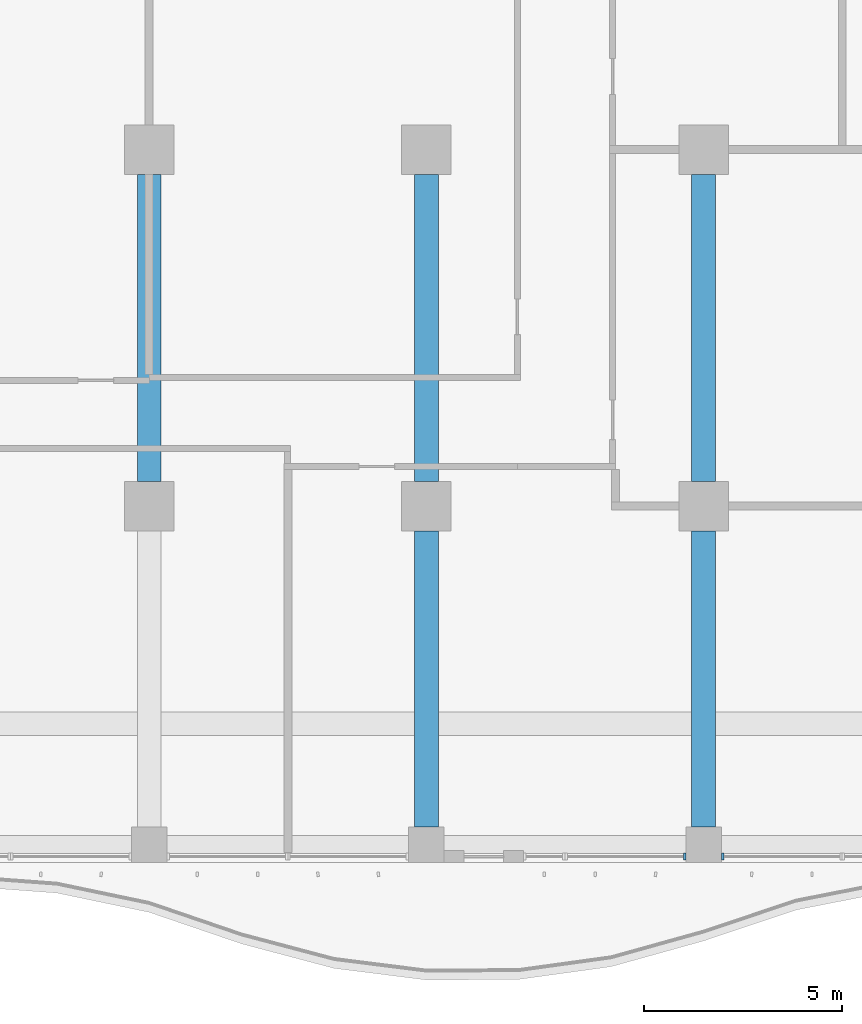
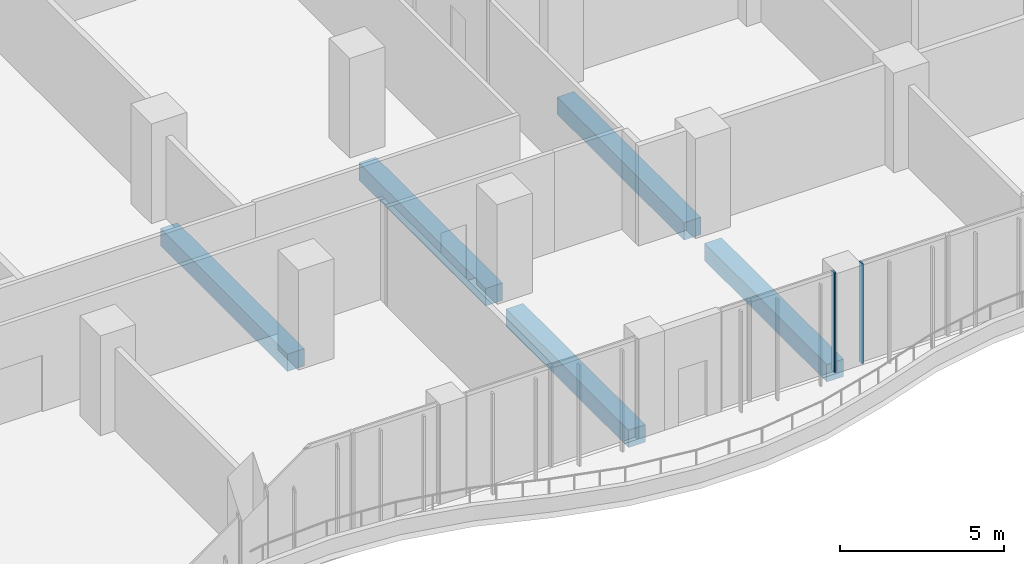
# One storey, part 4 of 28: 5 beams, 2 members, 2 elements without a shape of their own.
"""IFC4 building model written with IfcOpenShell, lengths in metres."""

from ifc_helpers import new_model, si_unit, direction, frame, origin, origin_2d, place, context, subcontext, project, spatial, rectangle, extrude, source, transform, mapped, material, material_profile, profile_set, type_object, element, aggregate, save


model = new_model("IFC4")

# Units and contexts
model_context = context("Model", 3, precision=1e-05, world=origin(), true_north=direction((0.0, 1.0)))
body_context = subcontext(model_context, "Body", "Model", "MODEL_VIEW")
ifc_project = project(units=[si_unit("LENGTHUNIT", "METRE"), si_unit("AREAUNIT", "SQUARE_METRE"), si_unit("VOLUMEUNIT", "CUBIC_METRE"), si_unit("PLANEANGLEUNIT", "RADIAN"), si_unit("MASSUNIT", "GRAM", prefix="KILO")], contexts=[model_context])

# Site, building, storey
site_placement = place(None, origin())
site = spatial("IfcSite", under=ifc_project, at=site_placement, CompositionType="ELEMENT")
building_placement = place(site_placement, origin())
building = spatial("IfcBuilding", under=site, at=building_placement, Name="Kilnfold Tower and Market Hall", CompositionType="ELEMENT")
storey_placement = place(building_placement, frame((0.0, 0.0, 87.199951171875)))
storey = spatial("IfcBuildingStorey", under=building, at=storey_placement, Name="L20", CompositionType="ELEMENT", Elevation=87.199951171875)

# Beams
ifc_material_1 = material(Name="Concrete C45", Category="concrete")
ifc_material_profile_1 = material_profile(ifc_material_1, rectangle(XDim=0.60009765625, YDim=0.64990234375, at=origin_2d()), Name="RC 600x650")
ifc_profile_set_1 = profile_set([ifc_material_profile_1], Name="Concrete C45")
beam_type = type_object("IfcBeamType", Name="BEAM 600X650 C45", PredefinedType="BEAM", material=ifc_profile_set_1)
shared_shape_1 = source(origin(), body_context, "Body", "SweptSolid", [
    extrude(rectangle(XDim=0.60009765625, YDim=0.64990234375, at=origin_2d()), origin(), (0.0, 0.0, 1.0), 7.47509765625),
])
for number, where, z_axis, x_axis, name in (
    (1, (1.5, -27.10009765625, -0.60498046875), (0.0, 1.0, 0.0), (-1.0, 0.0, 0.0), "Beam BB650-B2.87"),
    (2, (8.5, -27.10009765625, -0.60498046875), (0.0, 1.0, 0.0), (-1.0, 0.0, 0.0), "Beam BB650-B2.89"),
):
    element("IfcBeam", number, at=place(storey_placement, frame(where, z_axis=z_axis, x_axis=x_axis)), inside=storey, type_object=beam_type, Name=name, PredefinedType="BEAM", context=body_context, shape_type="MappedRepresentation", body=[
        mapped(shared_shape_1, transform((0.0, 0.0, 0.0))),
    ])
shared_shape_2 = source(origin(), body_context, "Body", "SweptSolid", [
    extrude(rectangle(XDim=0.60009765625, YDim=0.64990234375, at=origin_2d()), origin(), (0.0, 0.0, 1.0), 7.75),
])
for number, where, z_axis, x_axis, name in (
    (3, (-5.5, -18.375, -0.60498046875), (0.0, 1.0, 0.0), (-1.0, 0.0, 0.0), "Beam BB650-B2.86"),
    (4, (1.5, -18.375, -0.60498046875), (0.0, 1.0, 0.0), (-1.0, 0.0, 0.0), "Beam BB650-B2.88"),
    (5, (8.5, -18.375, -0.60498046875), (0.0, 1.0, 0.0), (-1.0, 0.0, 0.0), "Beam BB650-B2.90"),
):
    element("IfcBeam", number, at=place(storey_placement, frame(where, z_axis=z_axis, x_axis=x_axis)), inside=storey, type_object=beam_type, Name=name, PredefinedType="BEAM", context=body_context, shape_type="MappedRepresentation", body=[
        mapped(shared_shape_2, transform((0.0, 0.0, 0.0))),
    ])

# Curtain wall, member
ifc_material_2 = material(Name="Aluminium and double glazing", Category="aluminium")
curtain_wall_type = type_object("IfcCurtainWallType", Name="CW OF1 VALLEY GLAZING", PredefinedType="NOTDEFINED", material=ifc_material_2)
curtain_wall_1_placement = place(storey_placement, origin())
curtain_wall_1 = element("IfcCurtainWall", 6, at=curtain_wall_1_placement, inside=storey, type_object=curtain_wall_type, Name="Curtain wall CW1 L20 S", PredefinedType="NOTDEFINED")
ifc_material_3 = material(Name="Aluminium", Category="aluminium")
ifc_material_profile_2 = material_profile(ifc_material_3, rectangle(XDim=0.06005859375, YDim=0.179931640625, at=origin_2d()), Name="MULLION 60x180")
ifc_profile_set_2 = profile_set([ifc_material_profile_2], Name="Aluminium")
member_type = type_object("IfcMemberType", Name="MULLION 60X180", PredefinedType="MULLION", material=ifc_profile_set_2)
shared_shape_3 = source(origin(), body_context, "Body", "SweptSolid", [
    extrude(rectangle(XDim=0.06005859375, YDim=0.179931640625, at=origin_2d()), origin(), (0.0, 0.0, 1.0), 3.719970703125),
])
member_1_placement = place(storey_placement, frame((8.02001953125, -27.85009765625, 0.0), z_axis=(0.0, 0.0, 1.0), x_axis=(1.0, 0.0, 0.0)))
member_1 = element("IfcMember", 7, at=member_1_placement, type_object=member_type, Name="CW1 mullion 2", PredefinedType="MULLION", context=body_context, shape_type="MappedRepresentation", body=[
    mapped(shared_shape_3, transform((0.0, 0.0, 0.0))),
])
aggregate(curtain_wall_1, [member_1])

curtain_wall_2_placement = place(storey_placement, origin())
curtain_wall_2 = element("IfcCurtainWall", 8, at=curtain_wall_2_placement, inside=storey, type_object=curtain_wall_type, Name="Curtain wall CW1 L20 S", PredefinedType="NOTDEFINED")
member_2_placement = place(storey_placement, frame((8.97998046875, -27.85009765625, 0.0), z_axis=(0.0, 0.0, 1.0), x_axis=(1.0, 0.0, 0.0)))
member_2 = element("IfcMember", 9, at=member_2_placement, type_object=member_type, Name="CW1 mullion 1", PredefinedType="MULLION", context=body_context, shape_type="MappedRepresentation", body=[
    mapped(shared_shape_3, transform((0.0, 0.0, 0.0))),
])
aggregate(curtain_wall_2, [member_2])

save(model, "model.ifc")
